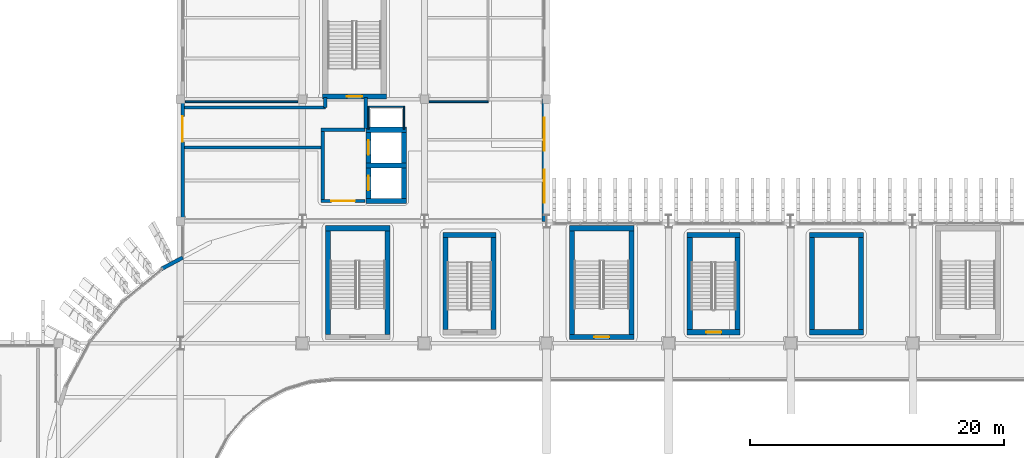
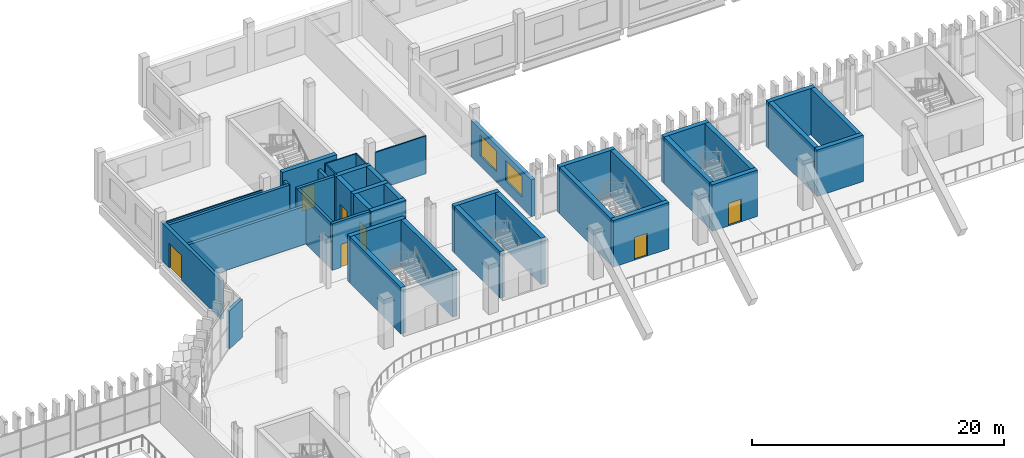
# One storey, part 52 of 100: 41 walls, 7 doors, 2 windows, 9 openings.
"""IFC4 building model written with IfcOpenShell, lengths in metres."""

from ifc_helpers import new_model, si_unit, direction, frame, frame_2d, origin, place, context, subcontext, project, spatial, rectangle, extrude, material, layer, layer_set, type_object, element, fill, save


model = new_model("IFC4")

# Units and contexts
model_context = context("Model", 3, precision=1e-05, world=origin(), true_north=direction((0.0, 1.0)))
body_context = subcontext(model_context, "Body", "Model", "MODEL_VIEW")
ifc_project = project(units=[si_unit("LENGTHUNIT", "METRE"), si_unit("AREAUNIT", "SQUARE_METRE"), si_unit("VOLUMEUNIT", "CUBIC_METRE"), si_unit("PLANEANGLEUNIT", "RADIAN"), si_unit("MASSUNIT", "GRAM", prefix="KILO")], contexts=[model_context])

# Site, building, storey
site_placement = place(None, origin())
site = spatial("IfcSite", under=ifc_project, at=site_placement, CompositionType="ELEMENT")
building_placement = place(site_placement, origin())
building = spatial("IfcBuilding", under=site, at=building_placement, Name="Caelomonte Colonnade Arena", CompositionType="ELEMENT")
storey_placement = place(building_placement, origin())
storey = spatial("IfcBuildingStorey", under=building, at=storey_placement, Name="L00", CompositionType="ELEMENT", Elevation=0.0)

# Wall, opening, door
ifc_material_1 = material(Name="Precast concrete C40/50", Category="concrete")
ifc_layer_1 = layer(ifc_material_1, 0.2900390625)
ifc_layer_set_1 = layer_set([ifc_layer_1], Name="Precast concrete C40/50")
wall_type_1 = type_object("IfcWallType", Name="ENV-WL-EXT29", PredefinedType="SOLIDWALL", material=ifc_layer_set_1)
wall_1_placement = place(storey_placement, frame((67.3798828125, 124.800048828125, 0.0), z_axis=(0.0, 0.0, 1.0), x_axis=(0.0, -1.0, 0.0)))
wall_1 = element("IfcWall", 1, at=wall_1_placement, inside=storey, type_object=wall_type_1, Name="L00 exterior wall EW-L00-0167", PredefinedType="SOLIDWALL", context=body_context, shape_type="SweptSolid", body=[
    extrude(rectangle(XDim=9.60009765625, YDim=0.2900390625, at=frame_2d((4.800048828125, 0.0))), origin(), (0.0, 0.0, 1.0), 3.699951171875),
])
opening_1_placement = place(wall_1_placement, frame((3.35009765625, 0.0, 0.0), z_axis=(0.0, 0.0, 1.0), x_axis=(-1.0, 0.0, 0.0)))
opening_1 = element("IfcOpeningElement", 2, at=opening_1_placement, cuts=wall_1, Name="Opening G21", PredefinedType="OPENING", context=body_context, shape_type="SweptSolid", body=[
    extrude(rectangle(XDim=2.0, YDim=2.39990234375, at=frame_2d((1.0, 1.199951171875))), frame((0.0, 0.155029296875, 0.0), z_axis=(0.0, -1.0, 0.0), x_axis=(1.0, 0.0, 0.0)), (0.0, 0.0, 1.0), 0.31005859375),
])
ifc_material_2 = material(Name="Painted galvanized hollow metal")
door_type_1 = type_object("IfcDoorType", Name="ENV-DR-G2", OperationType="DOUBLE_DOOR_SINGLE_SWING", PredefinedType="DOOR", material=ifc_material_2)
door_1_placement = place(opening_1_placement, origin())
door_1 = element("IfcDoor", 3, at=door_1_placement, inside=storey, type_object=door_type_1, Name="Pedestrian final exit door G21", OperationType="DOUBLE_DOOR_SINGLE_SWING", OverallHeight=2.39990234375, OverallWidth=2.0, PredefinedType="DOOR", context=body_context, shape_type="SweptSolid", body=[
    extrude(rectangle(XDim=2.0, YDim=2.39990234375, at=frame_2d((1.0, 1.199951171875))), frame((0.0, 0.02490234375, 0.0), z_axis=(0.0, -1.0, 0.0), x_axis=(1.0, 0.0, 0.0)), (0.0, 0.0, 1.0), 0.050048828125),
])
fill(opening_1, door_1)

# Wall
wall_2_placement = place(storey_placement, frame((67.390625, 112.343017578125, 0.0), z_axis=(0.0, 0.0, 1.0), x_axis=(-0.881883861215, -0.47146670649, 0.0)))
element("IfcWall", 4, at=wall_2_placement, inside=storey, type_object=wall_type_1, Name="L00 exterior wall EW-L00-0168", PredefinedType="SOLIDWALL", context=body_context, shape_type="SweptSolid", body=[
    extrude(rectangle(XDim=1.903564453125, YDim=0.2900390625, at=frame_2d((0.95166015625, 0.0))), origin(), (0.0, 0.0, 1.0), 3.699951171875),
])

# Wall, openings, windows
ifc_layer_2 = layer(ifc_material_1, 0.330078125)
ifc_layer_set_2 = layer_set([ifc_layer_2], Name="Precast concrete C40/50")
wall_type_2 = type_object("IfcWallType", Name="ENV-WL-EXT33", PredefinedType="SOLIDWALL", material=ifc_layer_set_2)
wall_3_placement = place(storey_placement, frame((95.820068359375, 115.199951171875, 0.0), z_axis=(0.0, 0.0, 1.0), x_axis=(0.0, 1.0, 0.0)))
wall_3 = element("IfcWall", 5, at=wall_3_placement, inside=storey, type_object=wall_type_2, Name="L00 exterior wall EW-L00-0181", PredefinedType="SOLIDWALL", context=body_context, shape_type="SweptSolid", body=[
    extrude(rectangle(XDim=9.60009765625, YDim=0.330078125, at=frame_2d((4.800048828125, 0.0))), origin(), (0.0, 0.0, 1.0), 3.572998046875),
])
opening_2_placement = place(wall_3_placement, frame((4.06689453125, 0.0, 1.0), z_axis=(0.0, 0.0, 1.0), x_axis=(-1.0, 0.0, 0.0)))
opening_2 = element("IfcOpeningElement", 6, at=opening_2_placement, cuts=wall_3, Name="Opening WN-10", PredefinedType="OPENING", context=body_context, shape_type="SweptSolid", body=[
    extrude(rectangle(XDim=2.60009765625, YDim=2.0, at=frame_2d((1.300048828125, 1.0))), frame((0.0, 0.175048828125, 0.0), z_axis=(0.0, -1.0, 0.0), x_axis=(1.0, 0.0, 0.0)), (0.0, 0.0, 1.0), 0.35009765625),
])
opening_3_placement = place(wall_3_placement, frame((8.13330078125, 0.0, 1.0), z_axis=(0.0, 0.0, 1.0), x_axis=(-1.0, 0.0, 0.0)))
opening_3 = element("IfcOpeningElement", 7, at=opening_3_placement, cuts=wall_3, Name="Opening WN-10", PredefinedType="OPENING", context=body_context, shape_type="SweptSolid", body=[
    extrude(rectangle(XDim=2.60009765625, YDim=2.0, at=frame_2d((1.300048828125, 1.0))), frame((0.0, 0.175048828125, 0.0), z_axis=(0.0, -1.0, 0.0), x_axis=(1.0, 0.0, 0.0)), (0.0, 0.0, 1.0), 0.35009765625),
])
ifc_material_3 = material(Name="Solar-control bronze low-E double glazing", Category="glass")
window_type = type_object("IfcWindowType", Name="ENV-WN-V4G", PartitioningType="TRIPLE_PANEL_VERTICAL", PredefinedType="WINDOW", material=ifc_material_3)
window_1_placement = place(opening_2_placement, origin())
window_1 = element("IfcWindow", 8, at=window_1_placement, inside=storey, type_object=window_type, Name="L00 facade window 67", OverallHeight=2.0, OverallWidth=2.60009765625, PartitioningType="SINGLE_PANEL", PredefinedType="WINDOW", context=body_context, shape_type="SweptSolid", body=[
    extrude(rectangle(XDim=2.60009765625, YDim=2.0, at=frame_2d((1.300048828125, 1.0))), frame((0.0, 0.030029296875, 0.0), z_axis=(0.0, -1.0, 0.0), x_axis=(1.0, 0.0, 0.0)), (0.0, 0.0, 1.0), 0.06005859375),
])
fill(opening_2, window_1)
window_2_placement = place(opening_3_placement, origin())
window_2 = element("IfcWindow", 9, at=window_2_placement, inside=storey, type_object=window_type, Name="L00 facade window 68", OverallHeight=2.0, OverallWidth=2.60009765625, PartitioningType="SINGLE_PANEL", PredefinedType="WINDOW", context=body_context, shape_type="SweptSolid", body=[
    extrude(rectangle(XDim=2.60009765625, YDim=2.0, at=frame_2d((1.300048828125, 1.0))), frame((0.0, 0.030029296875, 0.0), z_axis=(0.0, -1.0, 0.0), x_axis=(1.0, 0.0, 0.0)), (0.0, 0.0, 1.0), 0.06005859375),
])
fill(opening_3, window_2)

# Wall, opening, door
ifc_material_4 = material(Name="Concrete C40/50", Category="concrete")
ifc_layer_3 = layer(ifc_material_4, 0.260009765625)
ifc_layer_set_3 = layer_set([ifc_layer_3], Name="Concrete C40/50")
wall_type_3 = type_object("IfcWallType", Name="INT-WL-FW26", PredefinedType="SOLIDWALL", material=ifc_layer_set_3)
wall_4_placement = place(storey_placement, frame((78.27001953125, 116.800048828125, 0.0), z_axis=(0.0, 0.0, 1.0), x_axis=(1.0, 0.0, 0.0)))
wall_4 = element("IfcWall", 10, at=wall_4_placement, inside=storey, type_object=wall_type_3, Name="FW-C7-LB L00 south enclosure wall", PredefinedType="SOLIDWALL", context=body_context, shape_type="SweptSolid", body=[
    extrude(rectangle(XDim=3.4599609375, YDim=0.260009765625, at=frame_2d((1.72998046875, 0.0))), origin(), (0.0, 0.0, 1.0), 4.5),
])
opening_4_placement = place(wall_4_placement, frame((2.655029296875, 0.0, 0.0), z_axis=(0.0, 0.0, 1.0), x_axis=(-1.0, 0.0, 0.0)))
opening_4 = element("IfcOpeningElement", 11, at=opening_4_placement, cuts=wall_4, Name="Opening FD-2", PredefinedType="OPENING", context=body_context, shape_type="SweptSolid", body=[
    extrude(rectangle(XDim=1.85009765625, YDim=2.25, at=frame_2d((0.925048828125, 1.125))), frame((0.0, 0.139892578125, 0.0), z_axis=(0.0, -1.0, 0.0), x_axis=(1.0, 0.0, 0.0)), (0.0, 0.0, 1.0), 0.280029296875),
])
ifc_material_5 = material(Name="Fire-rated double steel door", Category="steel")
door_type_2 = type_object("IfcDoorType", Name="INT-DR-FD90B", OperationType="DOUBLE_DOOR_SINGLE_SWING", PredefinedType="DOOR", material=ifc_material_5)
door_2_placement = place(opening_4_placement, origin())
door_2 = element("IfcDoor", 12, at=door_2_placement, inside=storey, type_object=door_type_2, Name="Core C7 L00 lobby fire door", OperationType="DOUBLE_DOOR_SINGLE_SWING", OverallHeight=2.25, OverallWidth=1.85009765625, PredefinedType="DOOR", context=body_context, shape_type="SweptSolid", body=[
    extrude(rectangle(XDim=1.85009765625, YDim=2.25, at=frame_2d((0.925048828125, 1.125))), frame((0.0, 0.02490234375, 0.0), z_axis=(0.0, -1.0, 0.0), x_axis=(1.0, 0.0, 0.0)), (0.0, 0.0, 1.0), 0.050048828125),
])
fill(opening_4, door_2)

# Walls
wall_5_placement = place(storey_placement, frame((81.72998046875, 122.39990234375, 0.0), z_axis=(0.0, 0.0, 1.0), x_axis=(-1.0, 0.0, 0.0)))
element("IfcWall", 13, at=wall_5_placement, inside=storey, type_object=wall_type_3, Name="FW-C7-LB L00 north enclosure wall", PredefinedType="SOLIDWALL", context=body_context, shape_type="SweptSolid", body=[
    extrude(rectangle(XDim=3.4599609375, YDim=0.260009765625, at=frame_2d((1.72998046875, 0.0))), origin(), (0.0, 0.0, 1.0), 4.5),
])
wall_6_placement = place(storey_placement, frame((78.39990234375, 122.27001953125, 0.0), z_axis=(0.0, 0.0, 1.0), x_axis=(0.0, -1.0, 0.0)))
element("IfcWall", 14, at=wall_6_placement, inside=storey, type_object=wall_type_3, Name="FW-C7-LB L00 west enclosure wall", PredefinedType="SOLIDWALL", context=body_context, shape_type="SweptSolid", body=[
    extrude(rectangle(XDim=5.340087890625, YDim=0.260009765625, at=frame_2d((2.669921875, 0.0))), origin(), (0.0, 0.0, 1.0), 4.5),
])
wall_7_placement = place(storey_placement, frame((67.5400390625, 121.0, 0.0), z_axis=(0.0, 0.0, 1.0), x_axis=(1.0, 0.0, 0.0)))
element("IfcWall", 15, at=wall_7_placement, inside=storey, type_object=wall_type_3, Name="Protected Exit Lobby EP-07 south fire wall", PredefinedType="SOLIDWALL", context=body_context, shape_type="SweptSolid", body=[
    extrude(rectangle(XDim=10.72998046875, YDim=0.260009765625, at=frame_2d((5.364990234375, 0.0))), origin(), (0.0, 0.0, 1.0), 3.699951171875),
])
wall_8_placement = place(storey_placement, frame((67.5400390625, 124.14990234375, 0.0), z_axis=(0.0, 0.0, 1.0), x_axis=(1.0, 0.0, 0.0)))
element("IfcWall", 16, at=wall_8_placement, inside=storey, type_object=wall_type_3, Name="Protected Exit Lobby EP-07 north fire wall", PredefinedType="SOLIDWALL", context=body_context, shape_type="SweptSolid", body=[
    extrude(rectangle(XDim=11.06005859375, YDim=0.260009765625, at=frame_2d((5.530029296875, 0.0))), origin(), (0.0, 0.0, 1.0), 3.699951171875),
])
wall_9_placement = place(storey_placement, frame((78.60009765625, 124.14990234375, 0.0), z_axis=(0.0, 0.0, 1.0), x_axis=(0.0, 1.0, 0.0)))
element("IfcWall", 17, at=wall_9_placement, inside=storey, type_object=wall_type_3, Name="Protected Exit Lobby EP-07 vestibule west fire wall", PredefinedType="SOLIDWALL", context=body_context, shape_type="SweptSolid", body=[
    extrude(rectangle(XDim=0.77001953125, YDim=0.260009765625, at=frame_2d((0.385009765625, 0.0))), origin(), (0.0, 0.0, 1.0), 3.664306640625),
])
wall_10_placement = place(storey_placement, frame((81.780029296875, 122.47998046875, 0.0), z_axis=(0.0, 0.0, 1.0), x_axis=(0.0, 1.0, 0.0)))
element("IfcWall", 18, at=wall_10_placement, inside=storey, type_object=wall_type_3, Name="Protected Exit Lobby EP-07 east fire wall", PredefinedType="SOLIDWALL", context=body_context, shape_type="SweptSolid", body=[
    extrude(rectangle(XDim=2.43994140625, YDim=0.260009765625, at=frame_2d((1.219970703125, 0.0))), origin(), (0.0, 0.0, 1.0), 3.664306640625),
])
ifc_material_6 = material(Name="Service shaft lining partition")
ifc_layer_4 = layer(ifc_material_6, 0.10009765625)
ifc_layer_set_4 = layer_set([ifc_layer_4], Name="Service shaft lining partition")
wall_type_4 = type_object("IfcWallType", Name="INT-WL-PT10", PredefinedType="PARTITIONING", material=ifc_layer_set_4)
wall_11_placement = place(storey_placement, frame((84.85009765625, 124.199951171875, 0.0), z_axis=(0.0, 0.0, 1.0), x_axis=(-1.0, 0.0, 0.0)))
element("IfcWall", 19, at=wall_11_placement, inside=storey, type_object=wall_type_4, Name="FW-C7-RS L00 north enclosure wall", PredefinedType="PARTITIONING", context=body_context, shape_type="SweptSolid", body=[
    extrude(rectangle(XDim=2.900146484375, YDim=0.10009765625, at=frame_2d((1.4501953125, 0.0))), origin(), (0.0, 0.0, 1.0), 4.5),
])
for number, where, z_axis, x_axis, name in (
    (20, (82.0, 124.14990234375, 0.0), (0.0, 0.0, 1.0), (0.0, -1.0, 0.0), "FW-C7-RS L00 west enclosure wall"),
    (21, (84.800048828125, 122.449951171875, 0.0), (0.0, 0.0, 1.0), (0.0, 1.0, 0.0), "FW-C7-RS L00 east enclosure wall"),
):
    element("IfcWall", number, at=place(storey_placement, frame(where, z_axis=z_axis, x_axis=x_axis)), inside=storey, type_object=wall_type_4, Name=name, PredefinedType="PARTITIONING", context=body_context, shape_type="SweptSolid", body=[
        extrude(rectangle(XDim=1.699951171875, YDim=0.10009765625, at=frame_2d((0.85009765625, 0.0))), origin(), (0.0, 0.0, 1.0), 4.5),
    ])
ifc_material_7 = material(Name="Office gypsum stud partition")
ifc_layer_5 = layer(ifc_material_7, 0.1201171875)
ifc_layer_set_5 = layer_set([ifc_layer_5], Name="Office gypsum stud partition")
wall_type_5 = type_object("IfcWallType", Name="INT-WL-PT12", PredefinedType="PARTITIONING", material=ifc_layer_set_5)
wall_12_placement = place(storey_placement, frame((76.43994140625, 124.60009765625, 0.0), z_axis=(0.0, 0.0, 1.0), x_axis=(-1.0, 0.0, 0.0)))
element("IfcWall", 22, at=wall_12_placement, inside=storey, type_object=wall_type_5, Name="L00 Community Room partition 97", PredefinedType="PARTITIONING", context=body_context, shape_type="SweptSolid", body=[
    extrude(rectangle(XDim=8.83984375, YDim=0.1201171875, at=frame_2d((4.419921875, 0.0))), origin(), (0.0, 0.0, 1.0), 3.664306640625),
])
wall_13_placement = place(storey_placement, frame((91.39990234375, 124.60009765625, 0.0), z_axis=(0.0, 0.0, 1.0), x_axis=(-1.0, 0.0, 0.0)))
element("IfcWall", 23, at=wall_13_placement, inside=storey, type_object=wall_type_5, Name="L00 Community Room partition 99", PredefinedType="PARTITIONING", context=body_context, shape_type="SweptSolid", body=[
    extrude(rectangle(XDim=4.639892578125, YDim=0.1201171875, at=frame_2d((2.31982421875, 0.0))), origin(), (0.0, 0.0, 1.0), 3.664306640625),
])

# Wall, opening, door
ifc_material_8 = material(Name="Concrete C50/60", Category="concrete")
ifc_layer_6 = layer(ifc_material_8, 0.39990234375)
ifc_layer_set_6 = layer_set([ifc_layer_6], Name="Concrete C50/60")
wall_type_6 = type_object("IfcWallType", Name="INT-WL-SH40", PredefinedType="SHEAR", material=ifc_layer_set_6)
wall_14_placement = place(storey_placement, frame((78.39990234375, 125.0, 0.0), z_axis=(0.0, 0.0, 1.0), x_axis=(1.0, 0.0, 0.0)))
wall_14 = element("IfcWall", 24, at=wall_14_placement, inside=storey, type_object=wall_type_6, Name="CW-C7-ST L00 south enclosure wall", PredefinedType="SHEAR", context=body_context, shape_type="SweptSolid", body=[
    extrude(rectangle(XDim=5.0, YDim=0.39990234375, at=frame_2d((2.5, 0.0))), origin(), (0.0, 0.0, 1.0), 4.5),
])
opening_5_placement = place(wall_14_placement, frame((3.099853515625, 0.0, 0.0), z_axis=(0.0, 0.0, 1.0), x_axis=(-1.0, 0.0, 0.0)))
opening_5 = element("IfcOpeningElement", 25, at=opening_5_placement, cuts=wall_14, Name="Opening FD-1", PredefinedType="OPENING", context=body_context, shape_type="SweptSolid", body=[
    extrude(rectangle(XDim=1.199951171875, YDim=2.199951171875, at=frame_2d((0.60009765625, 1.10009765625))), frame((0.0, 0.2099609375, 0.0), z_axis=(0.0, -1.0, 0.0), x_axis=(1.0, 0.0, 0.0)), (0.0, 0.0, 1.0), 0.419921875),
])
ifc_material_9 = material(Name="Fire-rated steel door", Category="steel")
door_type_3 = type_object("IfcDoorType", Name="INT-DR-FD90A", OperationType="NOTDEFINED", PredefinedType="DOOR", material=ifc_material_9)
door_3_placement = place(opening_5_placement, origin())
door_3 = element("IfcDoor", 26, at=door_3_placement, inside=storey, type_object=door_type_3, Name="Core C7 L00 exit stair fire door", OperationType="SINGLE_SWING_RIGHT", OverallHeight=2.199951171875, OverallWidth=1.199951171875, PredefinedType="DOOR", context=body_context, shape_type="SweptSolid", body=[
    extrude(rectangle(XDim=1.199951171875, YDim=2.199951171875, at=frame_2d((0.60009765625, 1.10009765625))), frame((0.0, 0.02490234375, 0.0), z_axis=(0.0, -1.0, 0.0), x_axis=(1.0, 0.0, 0.0)), (0.0, 0.0, 1.0), 0.050048828125),
])
fill(opening_5, door_3)

# Walls
for number, where, z_axis, x_axis, name in (
    (27, (81.800048828125, 116.800048828125, 0.0), (0.0, 0.0, 1.0), (1.0, 0.0, 0.0), "CW-C7-LF L00 south enclosure wall"),
    (28, (85.0, 119.60009765625, 0.0), (0.0, 0.0, 1.0), (-1.0, 0.0, 0.0), "CW-C7-LF L00 north enclosure wall"),
):
    element("IfcWall", number, at=place(storey_placement, frame(where, z_axis=z_axis, x_axis=x_axis)), inside=storey, type_object=wall_type_6, Name=name, PredefinedType="SHEAR", context=body_context, shape_type="SweptSolid", body=[
        extrude(rectangle(XDim=3.199951171875, YDim=0.39990234375, at=frame_2d((1.60009765625, 0.0))), origin(), (0.0, 0.0, 1.0), 4.5),
    ])

# Wall, opening, door
wall_15_placement = place(storey_placement, frame((82.0, 119.39990234375, 0.0), z_axis=(0.0, 0.0, 1.0), x_axis=(0.0, -1.0, 0.0)))
wall_15 = element("IfcWall", 29, at=wall_15_placement, inside=storey, type_object=wall_type_6, Name="CW-C7-LF L00 west enclosure wall", PredefinedType="SHEAR", context=body_context, shape_type="SweptSolid", body=[
    extrude(rectangle(XDim=2.39990234375, YDim=0.39990234375, at=frame_2d((1.199951171875, 0.0))), origin(), (0.0, 0.0, 1.0), 4.5),
])
opening_6_placement = place(wall_15_placement, frame((0.625, 0.0, 0.0), z_axis=(0.0, 0.0, 1.0), x_axis=(1.0, 0.0, 0.0)))
opening_6 = element("IfcOpeningElement", 30, at=opening_6_placement, cuts=wall_15, Name="Opening LD-LF-05-L00", PredefinedType="OPENING", context=body_context, shape_type="SweptSolid", body=[
    extrude(rectangle(XDim=1.14990234375, YDim=2.199951171875, at=frame_2d((0.574951171875, 1.10009765625))), frame((0.0, 0.2099609375, 0.0), z_axis=(0.0, -1.0, 0.0), x_axis=(1.0, 0.0, 0.0)), (0.0, 0.0, 1.0), 0.419921875),
])
ifc_material_10 = material(Name="Stainless steel lift landing door", Category="steel")
door_type_4 = type_object("IfcDoorType", Name="INT-DR-LD1", OperationType="SLIDING_TO_LEFT", PredefinedType="DOOR", material=ifc_material_10)
door_4_placement = place(opening_6_placement, origin())
door_4 = element("IfcDoor", 31, at=door_4_placement, inside=storey, type_object=door_type_4, Name="Lift LF-05 L00 sliding landing door", OperationType="SLIDING_TO_LEFT", OverallHeight=2.199951171875, OverallWidth=1.14990234375, PredefinedType="DOOR", context=body_context, shape_type="SweptSolid", body=[
    extrude(rectangle(XDim=1.14990234375, YDim=2.199951171875, at=frame_2d((0.574951171875, 1.10009765625))), frame((0.0, 0.02490234375, 0.0), z_axis=(0.0, -1.0, 0.0), x_axis=(1.0, 0.0, 0.0)), (0.0, 0.0, 1.0), 0.050048828125),
])
fill(opening_6, door_4)

# Walls
wall_16_placement = place(storey_placement, frame((84.800048828125, 117.0, 0.0), z_axis=(0.0, 0.0, 1.0), x_axis=(0.0, 1.0, 0.0)))
element("IfcWall", 32, at=wall_16_placement, inside=storey, type_object=wall_type_6, Name="CW-C7-LF L00 east enclosure wall", PredefinedType="SHEAR", context=body_context, shape_type="SweptSolid", body=[
    extrude(rectangle(XDim=2.39990234375, YDim=0.39990234375, at=frame_2d((1.199951171875, 0.0))), origin(), (0.0, 0.0, 1.0), 4.5),
])
wall_17_placement = place(storey_placement, frame((85.0, 122.39990234375, 0.0), z_axis=(0.0, 0.0, 1.0), x_axis=(-1.0, 0.0, 0.0)))
element("IfcWall", 33, at=wall_17_placement, inside=storey, type_object=wall_type_6, Name="CW-C7-LF2 L00 north enclosure wall", PredefinedType="SHEAR", context=body_context, shape_type="SweptSolid", body=[
    extrude(rectangle(XDim=3.199951171875, YDim=0.39990234375, at=frame_2d((1.60009765625, 0.0))), origin(), (0.0, 0.0, 1.0), 4.5),
])

# Wall, opening, door
wall_18_placement = place(storey_placement, frame((82.0, 122.199951171875, 0.0), z_axis=(0.0, 0.0, 1.0), x_axis=(0.0, -1.0, 0.0)))
wall_18 = element("IfcWall", 34, at=wall_18_placement, inside=storey, type_object=wall_type_6, Name="CW-C7-LF2 L00 west enclosure wall", PredefinedType="SHEAR", context=body_context, shape_type="SweptSolid", body=[
    extrude(rectangle(XDim=2.39990234375, YDim=0.39990234375, at=frame_2d((1.199951171875, 0.0))), origin(), (0.0, 0.0, 1.0), 4.5),
])
opening_7_placement = place(wall_18_placement, frame((0.625, 0.0, 0.0), z_axis=(0.0, 0.0, 1.0), x_axis=(1.0, 0.0, 0.0)))
opening_7 = element("IfcOpeningElement", 35, at=opening_7_placement, cuts=wall_18, Name="Opening LD-LF-06-L00", PredefinedType="OPENING", context=body_context, shape_type="SweptSolid", body=[
    extrude(rectangle(XDim=1.14990234375, YDim=2.199951171875, at=frame_2d((0.574951171875, 1.10009765625))), frame((0.0, 0.2099609375, 0.0), z_axis=(0.0, -1.0, 0.0), x_axis=(1.0, 0.0, 0.0)), (0.0, 0.0, 1.0), 0.419921875),
])
door_5_placement = place(opening_7_placement, origin())
door_5 = element("IfcDoor", 36, at=door_5_placement, inside=storey, type_object=door_type_4, Name="Lift LF-06 L00 sliding landing door", OperationType="SLIDING_TO_LEFT", OverallHeight=2.199951171875, OverallWidth=1.14990234375, PredefinedType="DOOR", context=body_context, shape_type="SweptSolid", body=[
    extrude(rectangle(XDim=1.14990234375, YDim=2.199951171875, at=frame_2d((0.574951171875, 1.10009765625))), frame((0.0, 0.02490234375, 0.0), z_axis=(0.0, -1.0, 0.0), x_axis=(1.0, 0.0, 0.0)), (0.0, 0.0, 1.0), 0.050048828125),
])
fill(opening_7, door_5)

# Walls
wall_19_placement = place(storey_placement, frame((84.800048828125, 119.800048828125, 0.0), z_axis=(0.0, 0.0, 1.0), x_axis=(0.0, 1.0, 0.0)))
element("IfcWall", 37, at=wall_19_placement, inside=storey, type_object=wall_type_6, Name="CW-C7-LF2 L00 east enclosure wall", PredefinedType="SHEAR", context=body_context, shape_type="SweptSolid", body=[
    extrude(rectangle(XDim=2.39990234375, YDim=0.39990234375, at=frame_2d((1.199951171875, 0.0))), origin(), (0.0, 0.0, 1.0), 4.5),
])
wall_20_placement = place(storey_placement, frame((83.699951171875, 114.64990234375, 0.0), z_axis=(0.0, 0.0, 1.0), x_axis=(-1.0, 0.0, 0.0)))
element("IfcWall", 38, at=wall_20_placement, inside=storey, type_object=wall_type_6, Name="CW-ST-14 L00 north enclosure wall", PredefinedType="SHEAR", context=body_context, shape_type="SweptSolid", body=[
    extrude(rectangle(XDim=5.099853515625, YDim=0.39990234375, at=frame_2d((2.5498046875, 0.0))), origin(), (0.0, 0.0, 1.0), 4.5),
])
for number, where, z_axis, x_axis, name in (
    (39, (78.800048828125, 114.449951171875, 0.0), (0.0, 0.0, 1.0), (0.0, -1.0, 0.0), "CW-ST-14 L00 west enclosure wall"),
    (40, (83.5, 106.300048828125, 0.0), (0.0, 0.0, 1.0), (0.0, 1.0, 0.0), "CW-ST-14 L00 east enclosure wall"),
):
    element("IfcWall", number, at=place(storey_placement, frame(where, z_axis=z_axis, x_axis=x_axis)), inside=storey, type_object=wall_type_6, Name=name, PredefinedType="SHEAR", context=body_context, shape_type="SweptSolid", body=[
        extrude(rectangle(XDim=8.14990234375, YDim=0.39990234375, at=frame_2d((4.074951171875, 0.0))), origin(), (0.0, 0.0, 1.0), 4.5),
    ])

# Wall, opening, door
wall_21_placement = place(storey_placement, frame((97.800048828125, 106.10009765625, 0.0), z_axis=(0.0, 0.0, 1.0), x_axis=(1.0, 0.0, 0.0)))
wall_21 = element("IfcWall", 41, at=wall_21_placement, inside=storey, type_object=wall_type_6, Name="CW-ST-15 L00 south enclosure wall", PredefinedType="SHEAR", context=body_context, shape_type="SweptSolid", body=[
    extrude(rectangle(XDim=5.099853515625, YDim=0.39990234375, at=frame_2d((2.5498046875, 0.0))), origin(), (0.0, 0.0, 1.0), 4.5),
])
opening_8_placement = place(wall_21_placement, frame((3.14990234375, 0.0, 0.0), z_axis=(0.0, 0.0, 1.0), x_axis=(-1.0, 0.0, 0.0)))
opening_8 = element("IfcOpeningElement", 42, at=opening_8_placement, cuts=wall_21, Name="Opening FD-1", PredefinedType="OPENING", context=body_context, shape_type="SweptSolid", body=[
    extrude(rectangle(XDim=1.199951171875, YDim=2.199951171875, at=frame_2d((0.60009765625, 1.10009765625))), frame((0.0, 0.2099609375, 0.0), z_axis=(0.0, -1.0, 0.0), x_axis=(1.0, 0.0, 0.0)), (0.0, 0.0, 1.0), 0.419921875),
])
door_6_placement = place(opening_8_placement, origin())
door_6 = element("IfcDoor", 43, at=door_6_placement, inside=storey, type_object=door_type_3, Name="Protected exit stair ST-15 L00 fire door", OperationType="SINGLE_SWING_LEFT", OverallHeight=2.199951171875, OverallWidth=1.199951171875, PredefinedType="DOOR", context=body_context, shape_type="SweptSolid", body=[
    extrude(rectangle(XDim=1.199951171875, YDim=2.199951171875, at=frame_2d((0.60009765625, 1.10009765625))), frame((0.0, 0.02490234375, 0.0), z_axis=(0.0, -1.0, 0.0), x_axis=(1.0, 0.0, 0.0)), (0.0, 0.0, 1.0), 0.050048828125),
])
fill(opening_8, door_6)

# Walls
wall_22_placement = place(storey_placement, frame((102.89990234375, 114.64990234375, 0.0), z_axis=(0.0, 0.0, 1.0), x_axis=(-1.0, 0.0, 0.0)))
element("IfcWall", 44, at=wall_22_placement, inside=storey, type_object=wall_type_6, Name="CW-ST-15 L00 north enclosure wall", PredefinedType="SHEAR", context=body_context, shape_type="SweptSolid", body=[
    extrude(rectangle(XDim=5.099853515625, YDim=0.39990234375, at=frame_2d((2.5498046875, 0.0))), origin(), (0.0, 0.0, 1.0), 4.5),
])
for number, where, z_axis, x_axis, name in (
    (45, (98.0, 114.449951171875, 0.0), (0.0, 0.0, 1.0), (0.0, -1.0, 0.0), "CW-ST-15 L00 west enclosure wall"),
    (46, (102.699951171875, 106.300048828125, 0.0), (0.0, 0.0, 1.0), (0.0, 1.0, 0.0), "CW-ST-15 L00 east enclosure wall"),
):
    element("IfcWall", number, at=place(storey_placement, frame(where, z_axis=z_axis, x_axis=x_axis)), inside=storey, type_object=wall_type_6, Name=name, PredefinedType="SHEAR", context=body_context, shape_type="SweptSolid", body=[
        extrude(rectangle(XDim=8.14990234375, YDim=0.39990234375, at=frame_2d((4.074951171875, 0.0))), origin(), (0.0, 0.0, 1.0), 4.5),
    ])
wall_23_placement = place(storey_placement, frame((92.030029296875, 114.1298828125, 0.0), z_axis=(0.0, 0.0, 1.0), x_axis=(-1.0, 0.0, 0.0)))
element("IfcWall", 47, at=wall_23_placement, inside=storey, type_object=wall_type_6, Name="CW-ST-V05 L00 north enclosure wall", PredefinedType="SHEAR", context=body_context, shape_type="SweptSolid", body=[
    extrude(rectangle(XDim=4.159912109375, YDim=0.39990234375, at=frame_2d((2.080078125, 0.0))), origin(), (0.0, 0.0, 1.0), 4.5),
])
for number, where, z_axis, x_axis, name in (
    (48, (88.070068359375, 113.929931640625, 0.0), (0.0, 0.0, 1.0), (0.0, -1.0, 0.0), "CW-ST-V05 L00 west enclosure wall"),
    (49, (91.830078125, 106.669921875, 0.0), (0.0, 0.0, 1.0), (0.0, 1.0, 0.0), "CW-ST-V05 L00 east enclosure wall"),
):
    element("IfcWall", number, at=place(storey_placement, frame(where, z_axis=z_axis, x_axis=x_axis)), inside=storey, type_object=wall_type_6, Name=name, PredefinedType="SHEAR", context=body_context, shape_type="SweptSolid", body=[
        extrude(rectangle(XDim=7.260009765625, YDim=0.39990234375, at=frame_2d((3.6298828125, 0.0))), origin(), (0.0, 0.0, 1.0), 4.5),
    ])

# Wall, opening, door
wall_24_placement = place(storey_placement, frame((107.070068359375, 106.469970703125, 0.0), z_axis=(0.0, 0.0, 1.0), x_axis=(1.0, 0.0, 0.0)))
wall_24 = element("IfcWall", 50, at=wall_24_placement, inside=storey, type_object=wall_type_6, Name="CW-ST-V06 L00 south enclosure wall", PredefinedType="SHEAR", context=body_context, shape_type="SweptSolid", body=[
    extrude(rectangle(XDim=4.159912109375, YDim=0.39990234375, at=frame_2d((2.080078125, 0.0))), origin(), (0.0, 0.0, 1.0), 4.5),
])
opening_9_placement = place(wall_24_placement, frame((2.679931640625, 0.0, 0.0), z_axis=(0.0, 0.0, 1.0), x_axis=(-1.0, 0.0, 0.0)))
opening_9 = element("IfcOpeningElement", 51, at=opening_9_placement, cuts=wall_24, Name="Opening FD-1", PredefinedType="OPENING", context=body_context, shape_type="SweptSolid", body=[
    extrude(rectangle(XDim=1.199951171875, YDim=2.199951171875, at=frame_2d((0.60009765625, 1.10009765625))), frame((0.0, 0.2099609375, 0.0), z_axis=(0.0, -1.0, 0.0), x_axis=(1.0, 0.0, 0.0)), (0.0, 0.0, 1.0), 0.419921875),
])
door_7_placement = place(opening_9_placement, origin())
door_7 = element("IfcDoor", 52, at=door_7_placement, inside=storey, type_object=door_type_3, Name="Vomitory VOM-06 stair ST-V06 L00 portal door", OperationType="SINGLE_SWING_RIGHT", OverallHeight=2.199951171875, OverallWidth=1.199951171875, PredefinedType="DOOR", context=body_context, shape_type="SweptSolid", body=[
    extrude(rectangle(XDim=1.199951171875, YDim=2.199951171875, at=frame_2d((0.60009765625, 1.10009765625))), frame((0.0, 0.02490234375, 0.0), z_axis=(0.0, -1.0, 0.0), x_axis=(1.0, 0.0, 0.0)), (0.0, 0.0, 1.0), 0.050048828125),
])
fill(opening_9, door_7)

# Walls
wall_25_placement = place(storey_placement, frame((111.22998046875, 114.1298828125, 0.0), z_axis=(0.0, 0.0, 1.0), x_axis=(-1.0, 0.0, 0.0)))
element("IfcWall", 53, at=wall_25_placement, inside=storey, type_object=wall_type_6, Name="CW-ST-V06 L00 north enclosure wall", PredefinedType="SHEAR", context=body_context, shape_type="SweptSolid", body=[
    extrude(rectangle(XDim=4.159912109375, YDim=0.39990234375, at=frame_2d((2.080078125, 0.0))), origin(), (0.0, 0.0, 1.0), 4.5),
])
for number, where, z_axis, x_axis, name in (
    (54, (107.27001953125, 113.929931640625, 0.0), (0.0, 0.0, 1.0), (0.0, -1.0, 0.0), "CW-ST-V06 L00 west enclosure wall"),
    (55, (111.030029296875, 106.669921875, 0.0), (0.0, 0.0, 1.0), (0.0, 1.0, 0.0), "CW-ST-V06 L00 east enclosure wall"),
):
    element("IfcWall", number, at=place(storey_placement, frame(where, z_axis=z_axis, x_axis=x_axis)), inside=storey, type_object=wall_type_6, Name=name, PredefinedType="SHEAR", context=body_context, shape_type="SweptSolid", body=[
        extrude(rectangle(XDim=7.260009765625, YDim=0.39990234375, at=frame_2d((3.6298828125, 0.0))), origin(), (0.0, 0.0, 1.0), 4.5),
    ])
for number, where, z_axis, x_axis, name in (
    (56, (116.669921875, 106.469970703125, 0.0), (0.0, 0.0, 1.0), (1.0, 0.0, 0.0), "CW-ST-V15 L00 south enclosure wall"),
    (57, (120.929931640625, 114.1298828125, 0.0), (0.0, 0.0, 1.0), (-1.0, 0.0, 0.0), "CW-ST-V15 L00 north enclosure wall"),
):
    element("IfcWall", number, at=place(storey_placement, frame(where, z_axis=z_axis, x_axis=x_axis)), inside=storey, type_object=wall_type_6, Name=name, PredefinedType="SHEAR", context=body_context, shape_type="SweptSolid", body=[
        extrude(rectangle(XDim=4.260009765625, YDim=0.39990234375, at=frame_2d((2.1298828125, 0.0))), origin(), (0.0, 0.0, 1.0), 4.5),
    ])
for number, where, z_axis, x_axis, name in (
    (58, (116.8701171875, 113.929931640625, 0.0), (0.0, 0.0, 1.0), (0.0, -1.0, 0.0), "CW-ST-V15 L00 west enclosure wall"),
    (59, (120.72998046875, 106.669921875, 0.0), (0.0, 0.0, 1.0), (0.0, 1.0, 0.0), "CW-ST-V15 L00 east enclosure wall"),
):
    element("IfcWall", number, at=place(storey_placement, frame(where, z_axis=z_axis, x_axis=x_axis)), inside=storey, type_object=wall_type_6, Name=name, PredefinedType="SHEAR", context=body_context, shape_type="SweptSolid", body=[
        extrude(rectangle(XDim=7.260009765625, YDim=0.39990234375, at=frame_2d((3.6298828125, 0.0))), origin(), (0.0, 0.0, 1.0), 4.5),
    ])

save(model, "model.ifc")
